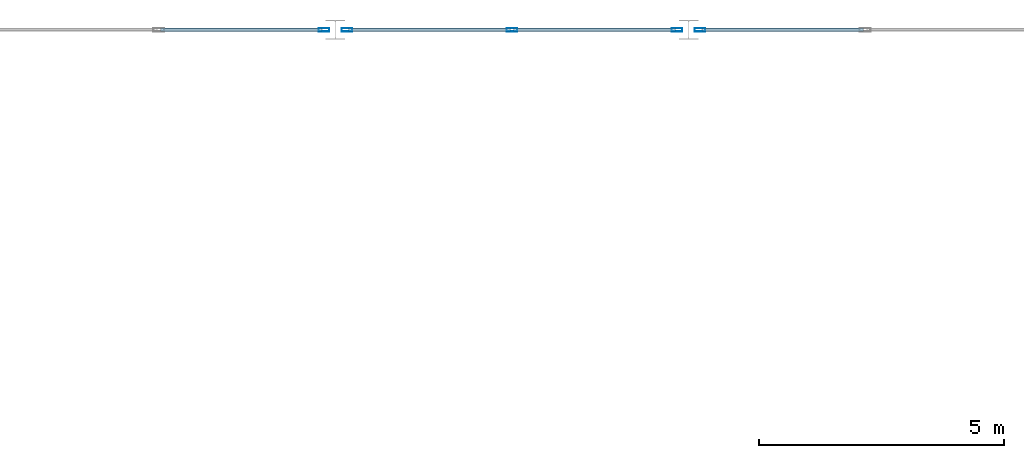
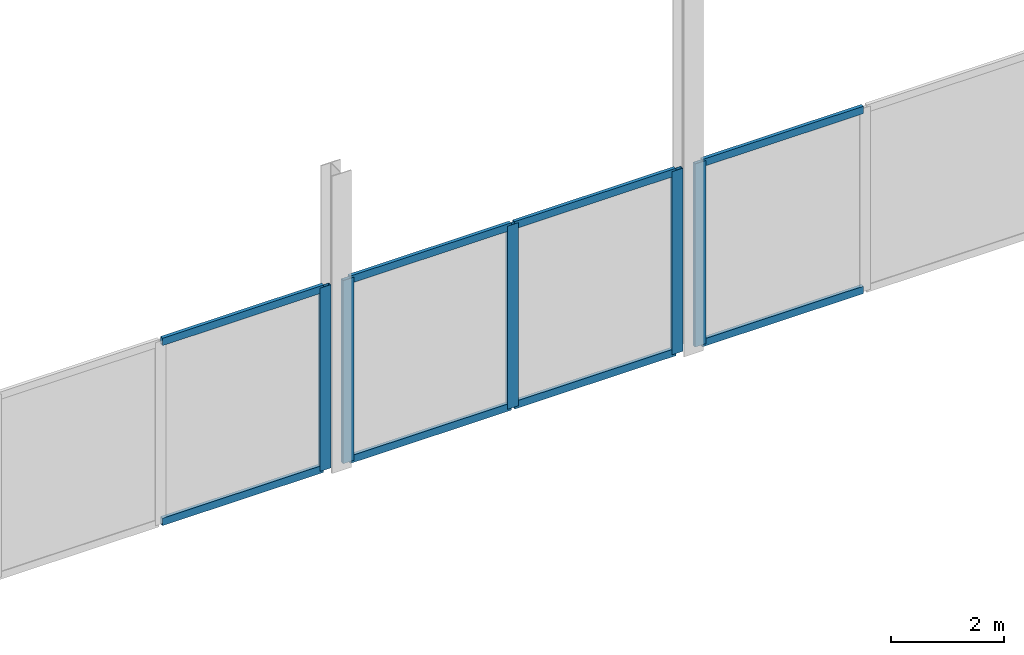
# One storey, part 22 of 51: 13 members, 3 elements without a shape of their own.
"""IFC4 building model written with IfcOpenShell, lengths in metres."""

from ifc_helpers import new_model, si_unit, direction, frame, origin, origin_2d, place, context, subcontext, project, spatial, hollow_rectangle, extrude, material, material_profile, profile_set, type_object, element, aggregate, save


model = new_model("IFC4")

# Units and contexts
model_context = context("Model", 3, precision=1e-05, world=origin(), true_north=direction((0.0, 1.0)))
body_context = subcontext(model_context, "Body", "Model", "MODEL_VIEW")
ifc_project = project(units=[si_unit("LENGTHUNIT", "METRE"), si_unit("AREAUNIT", "SQUARE_METRE"), si_unit("VOLUMEUNIT", "CUBIC_METRE"), si_unit("PLANEANGLEUNIT", "RADIAN"), si_unit("MASSUNIT", "GRAM", prefix="KILO")], contexts=[model_context])

# Site, building, storey
site_placement = place(None, origin())
site = spatial("IfcSite", under=ifc_project, at=site_placement, CompositionType="ELEMENT")
building_placement = place(site_placement, origin())
building = spatial("IfcBuilding", under=site, at=building_placement, Name="Vesperath Aquatics Centre", CompositionType="ELEMENT")
storey_placement = place(building_placement, frame((0.0, 0.0, 15.0)))
storey = spatial("IfcBuildingStorey", under=building, at=storey_placement, Name="L03", CompositionType="ELEMENT", Elevation=15.0)

# Curtain wall, member
ifc_material_1 = material(Name="Thermally broken anodised bronze aluminium curtain wall", Category="aluminium")
curtain_wall_type = type_object("IfcCurtainWallType", Name="CW-04", PredefinedType="NOTDEFINED", material=ifc_material_1)
curtain_wall_1_placement = place(storey_placement, origin())
curtain_wall_1 = element("IfcCurtainWall", 1, at=curtain_wall_1_placement, inside=storey, type_object=curtain_wall_type, Name="Facade Curtain Wall CW04 L03_N_03_16", PredefinedType="NOTDEFINED")
ifc_material_2 = material(Name="Thermally broken anodised aluminium", Category="aluminium")
ifc_material_profile_1 = material_profile(ifc_material_2, hollow_rectangle(XDim=0.070068359375, YDim=0.219970703125, WallThickness=0.0048828125, at=origin_2d()), Name="CWM 70x220x5")
ifc_profile_set_1 = profile_set([ifc_material_profile_1], Name="Thermally broken anodised aluminium")
member_type_1 = type_object("IfcMemberType", Name="MB-CWM2", PredefinedType="MULLION", material=ifc_profile_set_1)
member_1_placement = place(storey_placement, frame((28.56494140625, 115.199951171875, 0.0), z_axis=(0.0, 0.0, 1.0), x_axis=(0.0, 1.0, 0.0)))
member_1 = element("IfcMember", 2, at=member_1_placement, type_object=member_type_1, Name="CW04 mullion 3", PredefinedType="MULLION", context=body_context, shape_type="SweptSolid", body=[
    extrude(hollow_rectangle(XDim=0.070068359375, YDim=0.219970703125, WallThickness=0.0048828125, at=origin_2d()), origin(), (0.0, 0.0, 1.0), 3.9599609375),
])

# Curtain wall, members
curtain_wall_2_placement = place(storey_placement, origin())
curtain_wall_2 = element("IfcCurtainWall", 3, at=curtain_wall_2_placement, inside=storey, type_object=curtain_wall_type, Name="Facade Curtain Wall CW04 L03_N_04_16", PredefinedType="NOTDEFINED")
member_2_placement = place(storey_placement, frame((29.034912109375, 115.199951171875, 0.0), z_axis=(0.0, 0.0, 1.0), x_axis=(0.0, 1.0, 0.0)))
member_2 = element("IfcMember", 4, at=member_2_placement, type_object=member_type_1, Name="CW04 mullion 1", PredefinedType="MULLION", context=body_context, shape_type="SweptSolid", body=[
    extrude(hollow_rectangle(XDim=0.070068359375, YDim=0.219970703125, WallThickness=0.0048828125, at=origin_2d()), origin(), (0.0, 0.0, 1.0), 3.9599609375),
])
member_3_placement = place(storey_placement, frame((32.39990234375, 115.199951171875, 0.0), z_axis=(0.0, 0.0, 1.0), x_axis=(0.0, 1.0, 0.0)))
member_3 = element("IfcMember", 5, at=member_3_placement, type_object=member_type_1, Name="CW04 mullion 2", PredefinedType="MULLION", context=body_context, shape_type="SweptSolid", body=[
    extrude(hollow_rectangle(XDim=0.070068359375, YDim=0.219970703125, WallThickness=0.0048828125, at=origin_2d()), origin(), (0.0, 0.0, 1.0), 3.9599609375),
])
member_4_placement = place(storey_placement, frame((35.764892578125, 115.199951171875, 0.0), z_axis=(0.0, 0.0, 1.0), x_axis=(0.0, 1.0, 0.0)))
member_4 = element("IfcMember", 6, at=member_4_placement, type_object=member_type_1, Name="CW04 mullion 3", PredefinedType="MULLION", context=body_context, shape_type="SweptSolid", body=[
    extrude(hollow_rectangle(XDim=0.070068359375, YDim=0.219970703125, WallThickness=0.0048828125, at=origin_2d()), origin(), (0.0, 0.0, 1.0), 3.9599609375),
])

# Curtain wall, member
curtain_wall_3_placement = place(storey_placement, origin())
curtain_wall_3 = element("IfcCurtainWall", 7, at=curtain_wall_3_placement, inside=storey, type_object=curtain_wall_type, Name="Facade Curtain Wall CW04 L03_N_05_16", PredefinedType="NOTDEFINED")
member_5_placement = place(storey_placement, frame((36.235107421875, 115.199951171875, 0.0), z_axis=(0.0, 0.0, 1.0), x_axis=(0.0, 1.0, 0.0)))
member_5 = element("IfcMember", 8, at=member_5_placement, type_object=member_type_1, Name="CW04 mullion 1", PredefinedType="MULLION", context=body_context, shape_type="SweptSolid", body=[
    extrude(hollow_rectangle(XDim=0.070068359375, YDim=0.219970703125, WallThickness=0.0048828125, at=origin_2d()), origin(), (0.0, 0.0, 1.0), 3.9599609375),
])

# Member
ifc_material_profile_2 = material_profile(ifc_material_2, hollow_rectangle(XDim=0.070068359375, YDim=0.159912109375, WallThickness=0.0048828125, at=origin_2d()), Name="CWT 70x160x5")
ifc_profile_set_2 = profile_set([ifc_material_profile_2], Name="Thermally broken anodised aluminium")
member_type_2 = type_object("IfcMemberType", Name="MB-CWT2", PredefinedType="USERDEFINED", material=ifc_profile_set_2)
member_6_placement = place(storey_placement, frame((25.235107421875, 115.199951171875, 0.034912109375), z_axis=(1.0, 0.0, 0.0), x_axis=(0.0, 1.0, 0.0)))
member_6 = element("IfcMember", 9, at=member_6_placement, type_object=member_type_2, Name="CW04 transom 2.1", ObjectType="TRANSOM", PredefinedType="USERDEFINED", context=body_context, shape_type="SweptSolid", body=[
    extrude(hollow_rectangle(XDim=0.070068359375, YDim=0.159912109375, WallThickness=0.0048828125, at=origin_2d()), origin(), (0.0, 0.0, 1.0), 3.294921875),
])

member_7_placement = place(storey_placement, frame((25.235107421875, 115.199951171875, 3.925048828125), z_axis=(1.0, 0.0, 0.0), x_axis=(0.0, 1.0, 0.0)))
member_7 = element("IfcMember", 10, at=member_7_placement, type_object=member_type_2, Name="CW04 transom 2.2", ObjectType="TRANSOM", PredefinedType="USERDEFINED", context=body_context, shape_type="SweptSolid", body=[
    extrude(hollow_rectangle(XDim=0.070068359375, YDim=0.159912109375, WallThickness=0.0048828125, at=origin_2d()), origin(), (0.0, 0.0, 1.0), 3.294921875),
])

aggregate(curtain_wall_1, [member_1, member_6, member_7])

member_8_placement = place(storey_placement, frame((29.070068359375, 115.199951171875, 0.034912109375), z_axis=(1.0, 0.0, 0.0), x_axis=(0.0, 1.0, 0.0)))
member_8 = element("IfcMember", 11, at=member_8_placement, type_object=member_type_2, Name="CW04 transom 1.1", ObjectType="TRANSOM", PredefinedType="USERDEFINED", context=body_context, shape_type="SweptSolid", body=[
    extrude(hollow_rectangle(XDim=0.070068359375, YDim=0.159912109375, WallThickness=0.0048828125, at=origin_2d()), origin(), (0.0, 0.0, 1.0), 3.294921875),
])

member_9_placement = place(storey_placement, frame((29.070068359375, 115.199951171875, 3.925048828125), z_axis=(1.0, 0.0, 0.0), x_axis=(0.0, 1.0, 0.0)))
member_9 = element("IfcMember", 12, at=member_9_placement, type_object=member_type_2, Name="CW04 transom 1.2", ObjectType="TRANSOM", PredefinedType="USERDEFINED", context=body_context, shape_type="SweptSolid", body=[
    extrude(hollow_rectangle(XDim=0.070068359375, YDim=0.159912109375, WallThickness=0.0048828125, at=origin_2d()), origin(), (0.0, 0.0, 1.0), 3.294921875),
])

member_10_placement = place(storey_placement, frame((32.43505859375, 115.199951171875, 0.034912109375), z_axis=(1.0, 0.0, 0.0), x_axis=(0.0, 1.0, 0.0)))
member_10 = element("IfcMember", 13, at=member_10_placement, type_object=member_type_2, Name="CW04 transom 2.1", ObjectType="TRANSOM", PredefinedType="USERDEFINED", context=body_context, shape_type="SweptSolid", body=[
    extrude(hollow_rectangle(XDim=0.070068359375, YDim=0.159912109375, WallThickness=0.0048828125, at=origin_2d()), origin(), (0.0, 0.0, 1.0), 3.294921875),
])

member_11_placement = place(storey_placement, frame((32.43505859375, 115.199951171875, 3.925048828125), z_axis=(1.0, 0.0, 0.0), x_axis=(0.0, 1.0, 0.0)))
member_11 = element("IfcMember", 14, at=member_11_placement, type_object=member_type_2, Name="CW04 transom 2.2", ObjectType="TRANSOM", PredefinedType="USERDEFINED", context=body_context, shape_type="SweptSolid", body=[
    extrude(hollow_rectangle(XDim=0.070068359375, YDim=0.159912109375, WallThickness=0.0048828125, at=origin_2d()), origin(), (0.0, 0.0, 1.0), 3.294921875),
])

aggregate(curtain_wall_2, [member_2, member_3, member_4, member_8, member_9, member_10, member_11])

member_12_placement = place(storey_placement, frame((36.27001953125, 115.199951171875, 0.034912109375), z_axis=(1.0, 0.0, 0.0), x_axis=(0.0, 1.0, 0.0)))
member_12 = element("IfcMember", 15, at=member_12_placement, type_object=member_type_2, Name="CW04 transom 1.1", ObjectType="TRANSOM", PredefinedType="USERDEFINED", context=body_context, shape_type="SweptSolid", body=[
    extrude(hollow_rectangle(XDim=0.070068359375, YDim=0.159912109375, WallThickness=0.0048828125, at=origin_2d()), origin(), (0.0, 0.0, 1.0), 3.294921875),
])

member_13_placement = place(storey_placement, frame((36.27001953125, 115.199951171875, 3.925048828125), z_axis=(1.0, 0.0, 0.0), x_axis=(0.0, 1.0, 0.0)))
member_13 = element("IfcMember", 16, at=member_13_placement, type_object=member_type_2, Name="CW04 transom 1.2", ObjectType="TRANSOM", PredefinedType="USERDEFINED", context=body_context, shape_type="SweptSolid", body=[
    extrude(hollow_rectangle(XDim=0.070068359375, YDim=0.159912109375, WallThickness=0.0048828125, at=origin_2d()), origin(), (0.0, 0.0, 1.0), 3.294921875),
])

aggregate(curtain_wall_3, [member_5, member_12, member_13])

save(model, "model.ifc")
